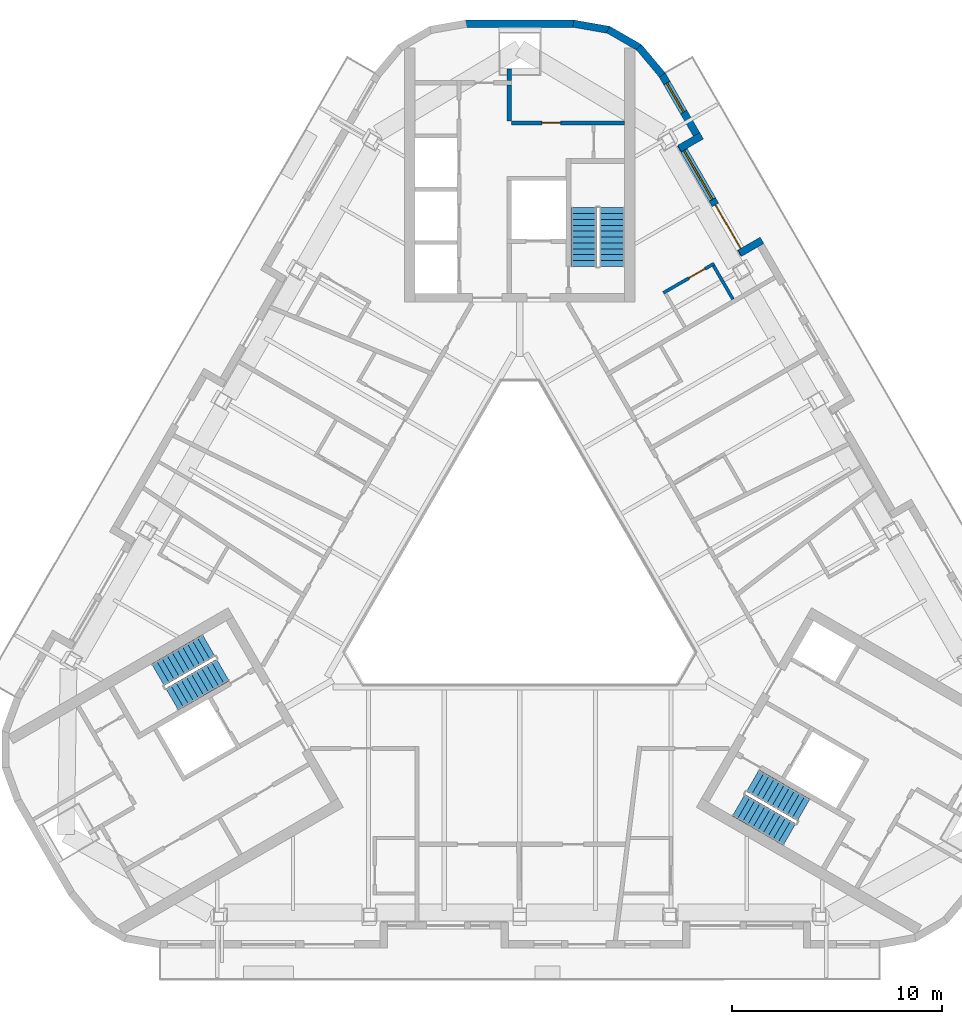
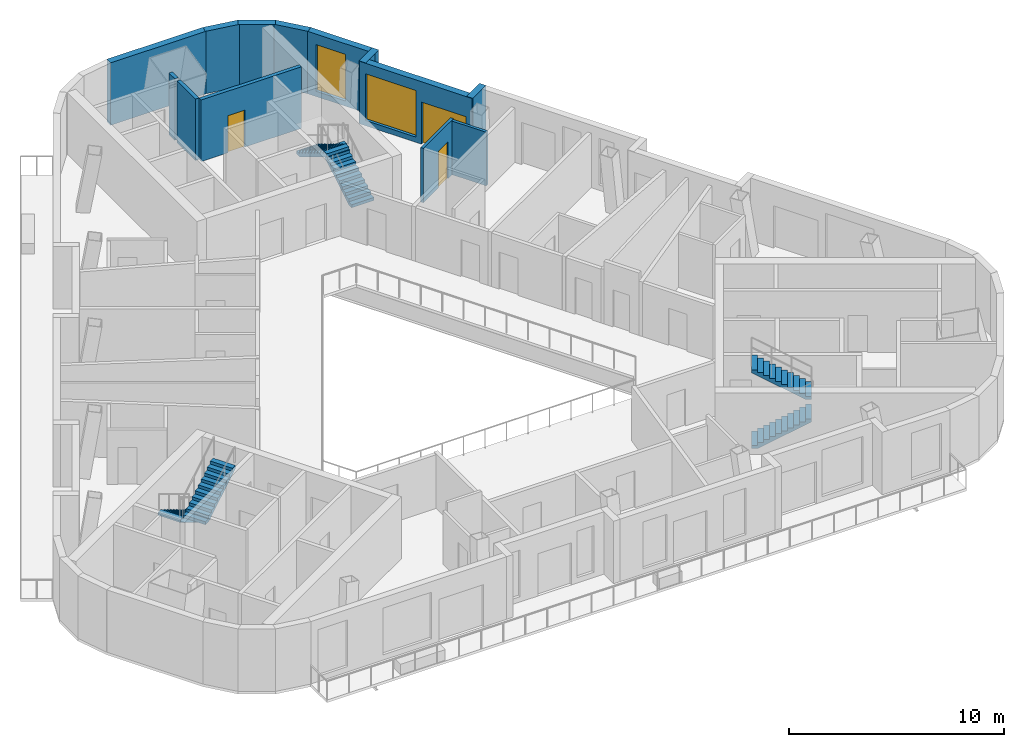
# One storey, part 8 of 13: 13 walls, 6 stair flights, 3 doors, 2 windows, 5 openings, 3 elements without a shape of their own.
"""IFC4 building model written with IfcOpenShell, lengths in metres."""

from ifc_helpers import new_model, si_unit, direction, frame, frame_2d, origin, place, context, subcontext, project, spatial, polyline, rectangle, outline, extrude, material, layer, layer_set, type_object, element, fill, aggregate, save


model = new_model("IFC4")

# Units and contexts
model_context = context("Model", 3, precision=1e-05, world=origin(), true_north=direction((0.0, 1.0)))
body_context = subcontext(model_context, "Body", "Model", "MODEL_VIEW")
ifc_project = project(units=[si_unit("LENGTHUNIT", "METRE"), si_unit("AREAUNIT", "SQUARE_METRE"), si_unit("VOLUMEUNIT", "CUBIC_METRE"), si_unit("PLANEANGLEUNIT", "RADIAN"), si_unit("MASSUNIT", "GRAM", prefix="KILO")], contexts=[model_context])

# Site, building, storey
site_placement = place(None, origin())
site = spatial("IfcSite", under=ifc_project, at=site_placement, CompositionType="ELEMENT")
building_placement = place(site_placement, origin())
building = spatial("IfcBuilding", under=site, at=building_placement, Name="Apuvela Tower Hotel", CompositionType="ELEMENT")
storey_placement = place(building_placement, frame((0.0, 0.0, 287.39990234375)))
storey = spatial("IfcBuildingStorey", under=building, at=storey_placement, Name="L71", CompositionType="ELEMENT", Elevation=287.39990234375)

# Wall, opening, door
ifc_material_1 = material(Name="Blockwork 200 mm plastered", Category="masonry")
ifc_layer_1 = layer(ifc_material_1, 0.199951171875)
ifc_layer_set_1 = layer_set([ifc_layer_1], Name="COR-WALL-PART-200")
wall_type_1 = type_object("IfcWallType", Name="COR-WALL-PART-200", PredefinedType="PARTITIONING", material=ifc_layer_set_1)
wall_1_placement = place(storey_placement, frame((5.0, 21.449951171875, 0.0), z_axis=(0.0, 0.0, 1.0), x_axis=(-1.0, 0.0, 0.0)))
wall_1 = element("IfcWall", 1, at=wall_1_placement, inside=storey, type_object=wall_type_1, Name="Partition N", PredefinedType="PARTITIONING", context=body_context, shape_type="SweptSolid", body=[
    extrude(rectangle(XDim=5.39990234375, YDim=0.199951171875, at=frame_2d((2.699951171875, 0.0))), origin(), (0.0, 0.0, 1.0), 3.5),
])
opening_1_placement = place(wall_1_placement, frame((3.050048828125, 0.0, 0.0)))
opening_1 = element("IfcOpeningElement", 2, at=opening_1_placement, cuts=wall_1, Name="Opening N-RS1", PredefinedType="OPENING", context=body_context, shape_type="SweptSolid", body=[
    extrude(rectangle(XDim=0.89990234375, YDim=2.10009765625, at=frame_2d((0.449951171875, 1.050048828125))), frame((0.0, 0.10986328125, 0.0), z_axis=(0.0, -1.0, 0.0), x_axis=(1.0, 0.0, 0.0)), (0.0, 0.0, 1.0), 0.219970703125),
])
ifc_material_2 = material(Name="Steel fire door, powder coated", Category="steel")
door_type_1 = type_object("IfcDoorType", Name="COR-DR-900", OperationType="NOTDEFINED", PredefinedType="DOOR", material=ifc_material_2)
door_1_placement = place(opening_1_placement, frame((0.89990234375, 0.0, 0.0), z_axis=(0.0, 0.0, 1.0), x_axis=(-1.0, 0.0, 0.0)))
door_1 = element("IfcDoor", 3, at=door_1_placement, inside=storey, type_object=door_type_1, Name="Store door N-RS1", OperationType="SINGLE_SWING_LEFT", OverallHeight=2.10009765625, OverallWidth=0.89990234375, PredefinedType="DOOR", context=body_context, shape_type="SweptSolid", body=[
    extrude(rectangle(XDim=0.89990234375, YDim=2.10009765625, at=frame_2d((0.449951171875, 1.050048828125))), frame((0.0, 0.02490234375, 0.0), z_axis=(0.0, -1.0, 0.0), x_axis=(1.0, 0.0, 0.0)), (0.0, 0.0, 1.0), 0.050048828125),
])
fill(opening_1, door_1)

# Walls
ifc_material_3 = material(Name="Concrete C50/60", Category="concrete")
ifc_layer_2 = layer(ifc_material_3, 0.199951171875)
ifc_layer_set_2 = layer_set([ifc_layer_2], Name="COR-WALL-SHAFT-200")
wall_type_2 = type_object("IfcWallType", Name="COR-WALL-SHAFT-200", PredefinedType="SHEAR", material=ifc_layer_set_2)
wall_2_placement = place(storey_placement, frame((-0.5, 21.550048828125, 0.0), z_axis=(0.0, 0.0, 1.0), x_axis=(0.0, 1.0, 0.0)))
element("IfcWall", 4, at=wall_2_placement, inside=storey, type_object=wall_type_2, Name="Shaft wall N", PredefinedType="SHEAR", context=body_context, shape_type="SweptSolid", body=[
    extrude(rectangle(XDim=1.7099609375, YDim=0.199951171875, at=frame_2d((0.85498046875, 0.0))), origin(), (0.0, 0.0, 1.0), 3.5),
])
wall_3_placement = place(storey_placement, frame((-0.5, 23.4599609375, 0.0), z_axis=(0.0, 0.0, 1.0), x_axis=(0.0, 1.0, 0.0)))
element("IfcWall", 5, at=wall_3_placement, inside=storey, type_object=wall_type_2, Name="Shaft wall N", PredefinedType="SHEAR", context=body_context, shape_type="SweptSolid", body=[
    extrude(rectangle(XDim=0.548828125, YDim=0.199951171875, at=frame_2d((0.2744140625, 0.0))), origin(), (0.0, 0.0, 1.0), 3.5),
])
ifc_material_4 = material(Name="Concrete C40/50, dark pigmented precast panel", Category="concrete")
ifc_layer_3 = layer(ifc_material_4, 0.35009765625)
ifc_layer_set_3 = layer_set([ifc_layer_3], Name="ENV-WALL-350")
wall_type_3 = type_object("IfcWallType", Name="ENV-WALL-350", PredefinedType="SOLIDWALL", material=ifc_layer_set_3)
wall_4_placement = place(storey_placement, frame((11.556640625, 15.841064453125, 0.0), z_axis=(0.0, 0.0, 1.0), x_axis=(-0.866005645448, -0.500034220881, 0.0)))
element("IfcWall", 6, at=wall_4_placement, inside=storey, type_object=wall_type_3, Name="External wall L71-38", PredefinedType="SOLIDWALL", context=body_context, shape_type="SweptSolid", body=[
    extrude(rectangle(XDim=1.22021484375, YDim=0.35009765625, at=frame_2d((0.610107421875, 0.0))), origin(), (0.0, 0.0, 1.0), 3.550048828125),
])

# Wall, openings, door, window
wall_5_placement = place(storey_placement, frame((10.697998046875, 15.177978515625, 0.0), z_axis=(0.0, 0.0, 1.0), x_axis=(-0.499985371027, 0.866033849661, 0.0)))
wall_5 = element("IfcWall", 7, at=wall_5_placement, inside=storey, type_object=wall_type_3, Name="External wall L71-39", PredefinedType="SOLIDWALL", context=body_context, shape_type="SweptSolid", body=[
    extrude(rectangle(XDim=6.055419921875, YDim=0.35009765625, at=frame_2d((3.02783203125, 0.0))), origin(), (0.0, 0.0, 1.0), 3.550048828125),
])
opening_2_placement = place(wall_5_placement, frame((0.320068359375, 0.0, 0.0)))
opening_2 = element("IfcOpeningElement", 8, at=opening_2_placement, cuts=wall_5, Name="Opening BD24", PredefinedType="OPENING", context=body_context, shape_type="SweptSolid", body=[
    extrude(rectangle(XDim=2.39990234375, YDim=2.39990234375, at=frame_2d((1.199951171875, 1.199951171875))), frame((0.0, 0.18505859375, 0.0), z_axis=(0.0, -1.0, 0.0), x_axis=(1.0, 0.0, 0.0)), (0.0, 0.0, 1.0), 0.3701171875),
])
opening_3_placement = place(wall_5_placement, frame((3.02001953125, 0.0, 0.300048828125)))
opening_3 = element("IfcOpeningElement", 9, at=opening_3_placement, cuts=wall_5, Name="Opening WN27", PredefinedType="OPENING", context=body_context, shape_type="SweptSolid", body=[
    extrude(rectangle(XDim=2.699951171875, YDim=2.64990234375, at=frame_2d((1.35009765625, 1.324951171875))), frame((0.0, 0.18505859375, 0.0), z_axis=(0.0, -1.0, 0.0), x_axis=(1.0, 0.0, 0.0)), (0.0, 0.0, 1.0), 0.3701171875),
])
ifc_material_5 = material(Name="Aluminium 6063-T6, dark bronze anodised frame with dark tinted laminated glass", Category="aluminium")
door_type_2 = type_object("IfcDoorType", Name="ENV-DOOR-BALCONY-2400x2400", OperationType="SLIDING_TO_LEFT", PredefinedType="DOOR", material=ifc_material_5)
door_2_placement = place(opening_2_placement, frame((2.39990234375, 0.0, 0.0), z_axis=(0.0, 0.0, 1.0), x_axis=(-1.0, 0.0, 0.0)))
door_2 = element("IfcDoor", 10, at=door_2_placement, inside=storey, type_object=door_type_2, Name="Balcony door BD24", OperationType="SLIDING_TO_LEFT", OverallHeight=2.39990234375, OverallWidth=2.39990234375, PredefinedType="DOOR", context=body_context, shape_type="SweptSolid", body=[
    extrude(rectangle(XDim=2.39990234375, YDim=2.39990234375, at=frame_2d((1.199951171875, 1.199951171875))), frame((0.0, 0.02490234375, 0.0), z_axis=(0.0, -1.0, 0.0), x_axis=(1.0, 0.0, 0.0)), (0.0, 0.0, 1.0), 0.050048828125),
])
fill(opening_2, door_2)
ifc_material_6 = material(Name="Glass, dark tinted laminated insulated glazing unit", Category="glass")
window_type_1 = type_object("IfcWindowType", Name="ENV-WIN-2700x2650", PartitioningType="SINGLE_PANEL", PredefinedType="WINDOW", material=ifc_material_6)
window_1_placement = place(opening_3_placement, origin())
window_1 = element("IfcWindow", 11, at=window_1_placement, inside=storey, type_object=window_type_1, Name="Window WN27", OverallHeight=2.64990234375, OverallWidth=2.699951171875, PartitioningType="SINGLE_PANEL", PredefinedType="WINDOW", context=body_context, shape_type="SweptSolid", body=[
    extrude(rectangle(XDim=2.699951171875, YDim=2.64990234375, at=frame_2d((1.35009765625, 1.324951171875))), frame((0.0, 0.030029296875, 0.0), z_axis=(0.0, -1.0, 0.0), x_axis=(1.0, 0.0, 0.0)), (0.0, 0.0, 1.0), 0.06005859375),
])
fill(opening_3, window_1)

# Wall
wall_6_placement = place(storey_placement, frame((7.6171875, 20.223876953125, 0.0), z_axis=(0.0, 0.0, 1.0), x_axis=(0.866005645448, 0.500034220881, 0.0)))
element("IfcWall", 12, at=wall_6_placement, inside=storey, type_object=wall_type_3, Name="External wall L71-40", PredefinedType="SOLIDWALL", context=body_context, shape_type="SweptSolid", body=[
    extrude(rectangle(XDim=1.22021484375, YDim=0.35009765625, at=frame_2d((0.610107421875, 0.0))), origin(), (0.0, 0.0, 1.0), 3.550048828125),
])

# Wall, opening, window
wall_7_placement = place(storey_placement, frame((8.60986328125, 20.5947265625, 0.0), z_axis=(0.0, 0.0, 1.0), x_axis=(-0.499990402704, 0.866030944715, 0.0)))
wall_7 = element("IfcWall", 13, at=wall_7_placement, inside=storey, type_object=wall_type_3, Name="External wall L71-41", PredefinedType="SOLIDWALL", context=body_context, shape_type="SweptSolid", body=[
    extrude(rectangle(XDim=3.654296875, YDim=0.35009765625, at=frame_2d((1.8271484375, 0.0))), origin(), (0.0, 0.0, 1.0), 3.550048828125),
])
opening_4_placement = place(wall_7_placement, frame((1.580810546875, 0.0, 0.300048828125)))
opening_4 = element("IfcOpeningElement", 14, at=opening_4_placement, cuts=wall_7, Name="Opening WN16", PredefinedType="OPENING", context=body_context, shape_type="SweptSolid", body=[
    extrude(rectangle(XDim=1.60009765625, YDim=2.64990234375, at=frame_2d((0.800048828125, 1.324951171875))), frame((0.0, 0.18505859375, 0.0), z_axis=(0.0, -1.0, 0.0), x_axis=(1.0, 0.0, 0.0)), (0.0, 0.0, 1.0), 0.3701171875),
])
window_type_2 = type_object("IfcWindowType", Name="ENV-WIN-1600x2650", PartitioningType="SINGLE_PANEL", PredefinedType="WINDOW", material=ifc_material_6)
window_2_placement = place(opening_4_placement, origin())
window_2 = element("IfcWindow", 15, at=window_2_placement, inside=storey, type_object=window_type_2, Name="Window WN16", OverallHeight=2.64990234375, OverallWidth=1.60009765625, PartitioningType="SINGLE_PANEL", PredefinedType="WINDOW", context=body_context, shape_type="SweptSolid", body=[
    extrude(rectangle(XDim=1.60009765625, YDim=2.64990234375, at=frame_2d((0.800048828125, 1.324951171875))), frame((0.0, 0.030029296875, 0.0), z_axis=(0.0, -1.0, 0.0), x_axis=(1.0, 0.0, 0.0)), (0.0, 0.0, 1.0), 0.06005859375),
])
fill(opening_4, window_2)

# Walls
for number, where, z_axis, x_axis, name in (
    (16, (6.800048828125, 23.734619140625, 0.0), (0.0, 0.0, 1.0), (-0.642768607723, 0.766060387258, 0.0), "External wall L71-42"),
    (17, (5.725341796875, 25.031982421875, 0.0), (0.0, 0.0, 1.0), (-0.866038783226, 0.499976825411, 0.0), "External wall L71-43"),
    (18, (4.271484375, 25.883544921875, 0.0), (0.0, 0.0, 1.0), (-0.984803276474, 0.173673563465, 0.0), "External wall L71-44"),
):
    element("IfcWall", number, at=place(storey_placement, frame(where, z_axis=z_axis, x_axis=x_axis)), inside=storey, type_object=wall_type_3, Name=name, PredefinedType="SOLIDWALL", context=body_context, shape_type="SweptSolid", body=[
        extrude(rectangle(XDim=1.74462890625, YDim=0.35009765625, at=frame_2d((0.872314453125, 0.0))), origin(), (0.0, 0.0, 1.0), 3.550048828125),
    ])
wall_8_placement = place(storey_placement, frame((2.583740234375, 26.183837890625, 0.0), z_axis=(0.0, 0.0, 1.0), x_axis=(-1.0, 0.0, 0.0)))
element("IfcWall", 19, at=wall_8_placement, inside=storey, type_object=wall_type_3, Name="External wall L71-45", PredefinedType="SOLIDWALL", context=body_context, shape_type="SweptSolid", body=[
    extrude(rectangle(XDim=5.16748046875, YDim=0.35009765625, at=frame_2d((2.583740234375, 0.0))), origin(), (0.0, 0.0, 1.0), 3.550048828125),
])

# Wall, opening, door
ifc_material_7 = material(Name="Moisture-resistant gypsum board wet wall on steel stud", Category="steel")
ifc_layer_4 = layer(ifc_material_7, 0.14990234375)
ifc_layer_set_4 = layer_set([ifc_layer_4], Name="GST-PW3")
wall_type_4 = type_object("IfcWallType", Name="GST-PW3", PredefinedType="PARTITIONING", material=ifc_layer_set_4)
wall_9_placement = place(storey_placement, frame((9.2744140625, 14.736572265625, 0.0), z_axis=(0.0, 0.0, 1.0), x_axis=(-0.866018616679, -0.500011755427, 0.0)))
wall_9 = element("IfcWall", 20, at=wall_9_placement, inside=storey, type_object=wall_type_4, Name="L71 partition 36", PredefinedType="PARTITIONING", context=body_context, shape_type="SweptSolid", body=[
    extrude(rectangle(XDim=2.80029296875, YDim=0.14990234375, at=frame_2d((1.400146484375, 0.0))), origin(), (0.0, 0.0, 1.0), 3.10009765625),
])
opening_5_placement = place(wall_9_placement, frame((0.5, 0.0, 0.0)))
opening_5 = element("IfcOpeningElement", 21, at=opening_5_placement, cuts=wall_9, Name="Opening GD28-15", PredefinedType="OPENING", context=body_context, shape_type="SweptSolid", body=[
    extrude(rectangle(XDim=0.89990234375, YDim=2.10009765625, at=frame_2d((0.449951171875, 1.050048828125))), frame((0.0, 0.0849609375, 0.0), z_axis=(0.0, -1.0, 0.0), x_axis=(1.0, 0.0, 0.0)), (0.0, 0.0, 1.0), 0.169921875),
])
ifc_material_8 = material(Name="Timber door leaf in steel frame", Category="steel")
door_type_3 = type_object("IfcDoorType", Name="GST-D2", OperationType="NOTDEFINED", PredefinedType="DOOR", material=ifc_material_8)
door_3_placement = place(opening_5_placement, origin())
door_3 = element("IfcDoor", 22, at=door_3_placement, inside=storey, type_object=door_type_3, Name="Door L71-15", OperationType="SINGLE_SWING_LEFT", OverallHeight=2.10009765625, OverallWidth=0.89990234375, PredefinedType="DOOR", context=body_context, shape_type="SweptSolid", body=[
    extrude(rectangle(XDim=0.89990234375, YDim=2.10009765625, at=frame_2d((0.449951171875, 1.050048828125))), frame((0.0, 0.02490234375, 0.0), z_axis=(0.0, -1.0, 0.0), x_axis=(1.0, 0.0, 0.0)), (0.0, 0.0, 1.0), 0.050048828125),
])
fill(opening_5, door_3)

# Wall
wall_10_placement = place(storey_placement, frame((10.171875, 13.031982421875, 0.0), z_axis=(0.0, 0.0, 1.0), x_axis=(-0.500042316284, 0.866000971088, 0.0)))
element("IfcWall", 23, at=wall_10_placement, inside=storey, type_object=wall_type_4, Name="L71 partition 37", PredefinedType="PARTITIONING", context=body_context, shape_type="SweptSolid", body=[
    extrude(rectangle(XDim=1.849853515625, YDim=0.14990234375, at=frame_2d((0.9248046875, 0.0))), origin(), (0.0, 0.0, 1.0), 3.050048828125),
])

# Stair, stair flights
stair_type = type_object("IfcStairType", Name="COR-STAIR-22R", PredefinedType="HALF_TURN_STAIR", material=ifc_material_3)
stair_1_placement = place(storey_placement, origin())
stair_1 = element("IfcStair", 24, at=stair_1_placement, inside=storey, type_object=stair_type, Name="L71 Exit stair ST1", PredefinedType="HALF_TURN_STAIR")
stair_flight_type = type_object("IfcStairFlightType", Name="COR-FLIGHT-11R", PredefinedType="STRAIGHT", material=ifc_material_3)
stair_flight_1_placement = place(storey_placement, frame((4.39990234375, 14.60009765625, 0.0), z_axis=(0.0, 0.0, 1.0), x_axis=(0.0, 1.0, 0.0)))
stair_flight_1 = element("IfcStairFlight", 25, at=stair_flight_1_placement, type_object=stair_flight_type, Name="ST1 flight 1", NumberOfRisers=11, NumberOfTreads=10, PredefinedType="STRAIGHT", RiserHeight=0.168181818, TreadLength=0.28, context=body_context, shape_type="SweptSolid", body=[
    extrude(outline(polyline([(0.0, 0.0), (0.0, 0.168212890625), (0.280029296875, 0.168212890625), (0.280029296875, 0.33642578125), (0.56005859375, 0.33642578125), (0.56005859375, 0.504638671875), (0.840087890625, 0.504638671875), (0.840087890625, 0.672607421875), (1.1201171875, 0.672607421875), (1.1201171875, 0.8408203125), (1.39990234375, 0.8408203125), (1.39990234375, 1.009033203125), (1.679931640625, 1.009033203125), (1.679931640625, 1.17724609375), (1.9599609375, 1.17724609375), (1.9599609375, 1.345458984375), (2.239990234375, 1.345458984375), (2.239990234375, 1.513671875), (2.52001953125, 1.513671875), (2.52001953125, 1.681884765625), (2.800048828125, 1.681884765625), (2.800048828125, 1.85009765625), (2.800048828125, 1.5068359375), (0.291015625, 0.0), (0.0, 0.0)])), frame((0.0, 0.60009765625, 0.0), z_axis=(0.0, -1.0, 0.0), x_axis=(1.0, 0.0, 0.0)), (0.0, 0.0, 1.0), 1.199951171875),
])
stair_flight_2_placement = place(storey_placement, frame((3.050048828125, 17.39990234375, 1.85009765625), z_axis=(0.0, 0.0, 1.0), x_axis=(0.0, -1.0, 0.0)))
stair_flight_2 = element("IfcStairFlight", 26, at=stair_flight_2_placement, type_object=stair_flight_type, Name="ST1 flight 2", NumberOfRisers=11, NumberOfTreads=10, PredefinedType="STRAIGHT", RiserHeight=0.168181818, TreadLength=0.28, context=body_context, shape_type="SweptSolid", body=[
    extrude(outline(polyline([(0.0, 0.0), (0.0, 0.168212890625), (0.280029296875, 0.168212890625), (0.280029296875, 0.33642578125), (0.56005859375, 0.33642578125), (0.56005859375, 0.504638671875), (0.840087890625, 0.504638671875), (0.840087890625, 0.672607421875), (1.1201171875, 0.672607421875), (1.1201171875, 0.8408203125), (1.39990234375, 0.8408203125), (1.39990234375, 1.009033203125), (1.679931640625, 1.009033203125), (1.679931640625, 1.17724609375), (1.9599609375, 1.17724609375), (1.9599609375, 1.345458984375), (2.239990234375, 1.345458984375), (2.239990234375, 1.513671875), (2.52001953125, 1.513671875), (2.52001953125, 1.681884765625), (2.800048828125, 1.681884765625), (2.800048828125, 1.85009765625), (2.800048828125, 1.5068359375), (0.291015625, 0.0), (0.0, 0.0)])), frame((0.0, 0.60009765625, 0.0), z_axis=(0.0, -1.0, 0.0), x_axis=(1.0, 0.0, 0.0)), (0.0, 0.0, 1.0), 1.199951171875),
])
aggregate(stair_1, [stair_flight_1, stair_flight_2])

stair_2_placement = place(storey_placement, origin())
stair_2 = element("IfcStair", 27, at=stair_2_placement, inside=storey, type_object=stair_type, Name="L71 Exit stair ST2", PredefinedType="HALF_TURN_STAIR")
stair_flight_3_placement = place(storey_placement, frame((-14.843994140625, -3.489501953125, 0.0), z_axis=(0.0, 0.0, 1.0), x_axis=(-0.866025403784, -0.5, 0.0)))
stair_flight_3 = element("IfcStairFlight", 28, at=stair_flight_3_placement, type_object=stair_flight_type, Name="ST2 flight 1", NumberOfRisers=11, NumberOfTreads=10, PredefinedType="STRAIGHT", RiserHeight=0.168181818, TreadLength=0.28, context=body_context, shape_type="SweptSolid", body=[
    extrude(outline(polyline([(0.0, 0.0), (0.0, 0.168212890625), (0.280029296875, 0.168212890625), (0.280029296875, 0.33642578125), (0.56005859375, 0.33642578125), (0.56005859375, 0.504638671875), (0.840087890625, 0.504638671875), (0.840087890625, 0.672607421875), (1.1201171875, 0.672607421875), (1.1201171875, 0.8408203125), (1.39990234375, 0.8408203125), (1.39990234375, 1.009033203125), (1.679931640625, 1.009033203125), (1.679931640625, 1.17724609375), (1.9599609375, 1.17724609375), (1.9599609375, 1.345458984375), (2.239990234375, 1.345458984375), (2.239990234375, 1.513671875), (2.52001953125, 1.513671875), (2.52001953125, 1.681884765625), (2.800048828125, 1.681884765625), (2.800048828125, 1.85009765625), (2.800048828125, 1.5068359375), (0.291015625, 0.0), (0.0, 0.0)])), frame((0.0, 0.60009765625, 0.0), z_axis=(0.0, -1.0, 0.0), x_axis=(1.0, 0.0, 0.0)), (0.0, 0.0, 1.0), 1.199951171875),
])
stair_flight_4_placement = place(storey_placement, frame((-16.59375, -6.05859375, 1.85009765625), z_axis=(0.0, 0.0, 1.0), x_axis=(0.866025403784, 0.5, 0.0)))
stair_flight_4 = element("IfcStairFlight", 29, at=stair_flight_4_placement, type_object=stair_flight_type, Name="ST2 flight 2", NumberOfRisers=11, NumberOfTreads=10, PredefinedType="STRAIGHT", RiserHeight=0.168181818, TreadLength=0.28, context=body_context, shape_type="SweptSolid", body=[
    extrude(outline(polyline([(0.0, 0.0), (0.0, 0.168212890625), (0.280029296875, 0.168212890625), (0.280029296875, 0.33642578125), (0.56005859375, 0.33642578125), (0.56005859375, 0.504638671875), (0.840087890625, 0.504638671875), (0.840087890625, 0.672607421875), (1.1201171875, 0.672607421875), (1.1201171875, 0.8408203125), (1.39990234375, 0.8408203125), (1.39990234375, 1.009033203125), (1.679931640625, 1.009033203125), (1.679931640625, 1.17724609375), (1.9599609375, 1.17724609375), (1.9599609375, 1.345458984375), (2.239990234375, 1.345458984375), (2.239990234375, 1.513671875), (2.52001953125, 1.513671875), (2.52001953125, 1.681884765625), (2.800048828125, 1.681884765625), (2.800048828125, 1.85009765625), (2.800048828125, 1.5068359375), (0.291015625, 0.0), (0.0, 0.0)])), frame((0.0, 0.60009765625, 0.0), z_axis=(0.0, -1.0, 0.0), x_axis=(1.0, 0.0, 0.0)), (0.0, 0.0, 1.0), 1.199951171875),
])
aggregate(stair_2, [stair_flight_3, stair_flight_4])

stair_3_placement = place(storey_placement, origin())
stair_3 = element("IfcStair", 30, at=stair_3_placement, inside=storey, type_object=stair_type, Name="L71 Exit stair ST3", PredefinedType="HALF_TURN_STAIR")
stair_flight_5_placement = place(storey_placement, frame((10.444091796875, -11.110595703125, 0.0), z_axis=(0.0, 0.0, 1.0), x_axis=(0.866025403784, -0.5, 0.0)))
stair_flight_5 = element("IfcStairFlight", 31, at=stair_flight_5_placement, type_object=stair_flight_type, Name="ST3 flight 1", NumberOfRisers=11, NumberOfTreads=10, PredefinedType="STRAIGHT", RiserHeight=0.168181818, TreadLength=0.28, context=body_context, shape_type="SweptSolid", body=[
    extrude(outline(polyline([(0.0, 0.0), (0.0, 0.168212890625), (0.280029296875, 0.168212890625), (0.280029296875, 0.33642578125), (0.56005859375, 0.33642578125), (0.56005859375, 0.504638671875), (0.840087890625, 0.504638671875), (0.840087890625, 0.672607421875), (1.1201171875, 0.672607421875), (1.1201171875, 0.8408203125), (1.39990234375, 0.8408203125), (1.39990234375, 1.009033203125), (1.679931640625, 1.009033203125), (1.679931640625, 1.17724609375), (1.9599609375, 1.17724609375), (1.9599609375, 1.345458984375), (2.239990234375, 1.345458984375), (2.239990234375, 1.513671875), (2.52001953125, 1.513671875), (2.52001953125, 1.681884765625), (2.800048828125, 1.681884765625), (2.800048828125, 1.85009765625), (2.800048828125, 1.5068359375), (0.291015625, 0.0), (0.0, 0.0)])), frame((0.0, 0.60009765625, 0.0), z_axis=(0.0, -1.0, 0.0), x_axis=(1.0, 0.0, 0.0)), (0.0, 0.0, 1.0), 1.199951171875),
])
stair_flight_6_placement = place(storey_placement, frame((13.5439453125, -11.34130859375, 1.85009765625), z_axis=(0.0, 0.0, 1.0), x_axis=(-0.866025403784, 0.5, 0.0)))
stair_flight_6 = element("IfcStairFlight", 32, at=stair_flight_6_placement, type_object=stair_flight_type, Name="ST3 flight 2", NumberOfRisers=11, NumberOfTreads=10, PredefinedType="STRAIGHT", RiserHeight=0.168181818, TreadLength=0.28, context=body_context, shape_type="SweptSolid", body=[
    extrude(outline(polyline([(0.0, 0.0), (0.0, 0.168212890625), (0.280029296875, 0.168212890625), (0.280029296875, 0.33642578125), (0.56005859375, 0.33642578125), (0.56005859375, 0.504638671875), (0.840087890625, 0.504638671875), (0.840087890625, 0.672607421875), (1.1201171875, 0.672607421875), (1.1201171875, 0.8408203125), (1.39990234375, 0.8408203125), (1.39990234375, 1.009033203125), (1.679931640625, 1.009033203125), (1.679931640625, 1.17724609375), (1.9599609375, 1.17724609375), (1.9599609375, 1.345458984375), (2.239990234375, 1.345458984375), (2.239990234375, 1.513671875), (2.52001953125, 1.513671875), (2.52001953125, 1.681884765625), (2.800048828125, 1.681884765625), (2.800048828125, 1.85009765625), (2.800048828125, 1.5068359375), (0.291015625, 0.0), (0.0, 0.0)])), frame((0.0, 0.60009765625, 0.0), z_axis=(0.0, -1.0, 0.0), x_axis=(1.0, 0.0, 0.0)), (0.0, 0.0, 1.0), 1.199951171875),
])
aggregate(stair_3, [stair_flight_5, stair_flight_6])

save(model, "model.ifc")
